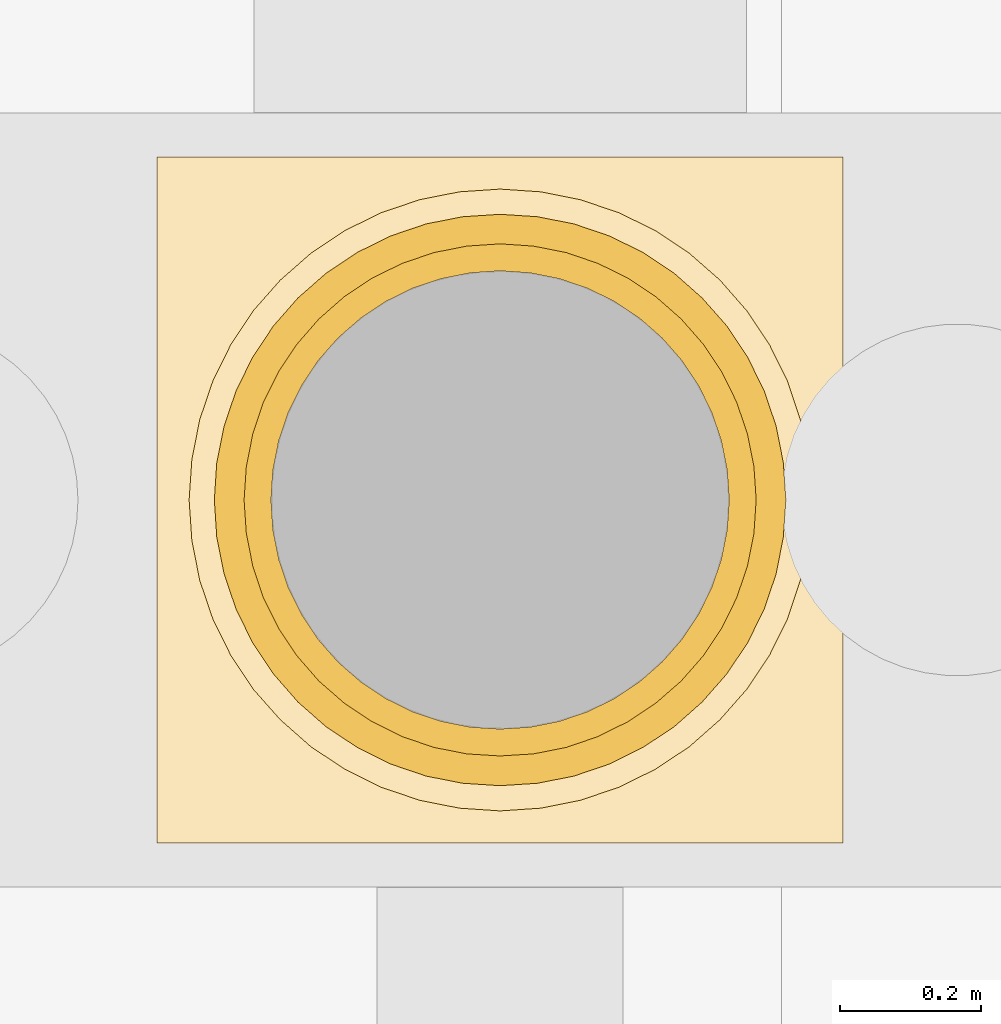
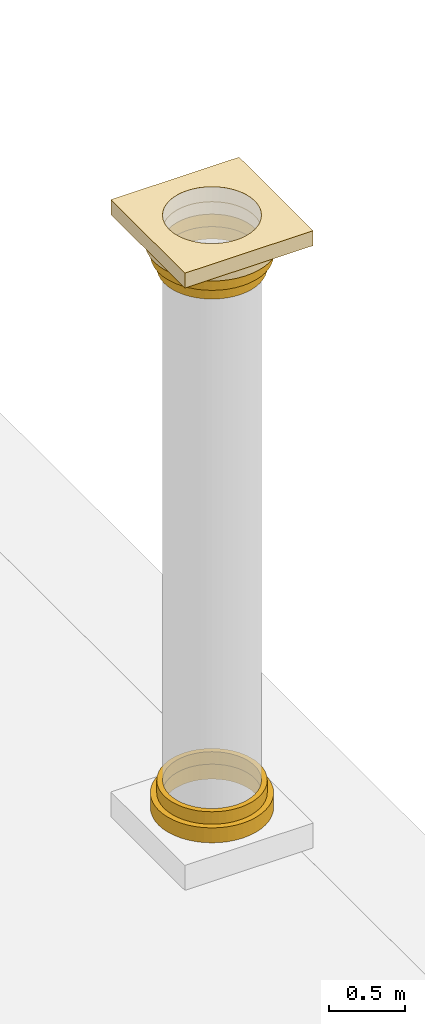
# One storey, part 69 of 80: 6 coverings.
"""IFC4 building model written with IfcOpenShell, lengths in metres."""

from ifc_helpers import new_model, si_unit, direction, frame, origin, place, context, subcontext, project, spatial, polyline, outline, extrude, material, type_object, element, save


model = new_model("IFC4")

# Units and contexts
model_context = context("Model", 3, precision=1e-05, world=origin(), true_north=direction((0.0, 1.0)))
body_context = subcontext(model_context, "Body", "Model", "MODEL_VIEW")
ifc_project = project(units=[si_unit("LENGTHUNIT", "METRE"), si_unit("AREAUNIT", "SQUARE_METRE"), si_unit("VOLUMEUNIT", "CUBIC_METRE"), si_unit("PLANEANGLEUNIT", "RADIAN"), si_unit("MASSUNIT", "GRAM", prefix="KILO")], contexts=[model_context])

# Site, building, storey
site_placement = place(None, origin())
site = spatial("IfcSite", under=ifc_project, at=site_placement, CompositionType="ELEMENT")
building_placement = place(site_placement, origin())
building = spatial("IfcBuilding", under=site, at=building_placement, Name="Ussher Court Research Institute", CompositionType="ELEMENT")
storey_placement = place(building_placement, origin())
storey = spatial("IfcBuildingStorey", under=building, at=storey_placement, Name="L00", CompositionType="ELEMENT", Elevation=0.0)

# Coverings
ifc_material_1 = material(Name="Limestone cornice", Category="masonry")
covering_type_1 = type_object("IfcCoveringType", Name="Column abacus 650 975x120", PredefinedType="CLADDING", material=ifc_material_1)
covering_1_placement = place(storey_placement, frame((0.0, 0.0, 4.840087890625)))
element("IfcCovering", 1, at=covering_1_placement, inside=storey, type_object=covering_type_1, Name="Column capital CC26", PredefinedType="CLADDING", context=body_context, shape_type="SweptSolid", body=[
    extrude(outline(polyline([(104.28759765625, 61.112548828125), (104.28759765625, 62.08740234375), (103.3125, 62.08740234375), (103.3125, 61.112548828125), (104.28759765625, 61.112548828125)]), holes=[polyline([(104.125732421875, 61.60009765625), (104.122802734375, 61.642578125), (104.114501953125, 61.684326171875), (104.100830078125, 61.724609375), (104.08203125, 61.7626953125), (104.058349609375, 61.79833984375), (104.0302734375, 61.830322265625), (103.998291015625, 61.8583984375), (103.962890625, 61.882080078125), (103.924560546875, 61.90087890625), (103.88427734375, 61.91455078125), (103.842529296875, 61.9228515625), (103.800048828125, 61.92578125), (103.757568359375, 61.9228515625), (103.7158203125, 61.91455078125), (103.67529296875, 61.90087890625), (103.63720703125, 61.882080078125), (103.601806640625, 61.8583984375), (103.569580078125, 61.830322265625), (103.54150390625, 61.79833984375), (103.517822265625, 61.7626953125), (103.4990234375, 61.724609375), (103.4853515625, 61.684326171875), (103.47705078125, 61.642578125), (103.474365234375, 61.60009765625), (103.47705078125, 61.5576171875), (103.4853515625, 61.515625), (103.4990234375, 61.475341796875), (103.517822265625, 61.437255859375), (103.54150390625, 61.401611328125), (103.569580078125, 61.36962890625), (103.601806640625, 61.341552734375), (103.63720703125, 61.31787109375), (103.67529296875, 61.299072265625), (103.7158203125, 61.285400390625), (103.757568359375, 61.277099609375), (103.800048828125, 61.2744140625), (103.842529296875, 61.277099609375), (103.88427734375, 61.285400390625), (103.924560546875, 61.299072265625), (103.962890625, 61.31787109375), (103.998291015625, 61.341552734375), (104.0302734375, 61.36962890625), (104.058349609375, 61.401611328125), (104.08203125, 61.437255859375), (104.100830078125, 61.475341796875), (104.114501953125, 61.515625), (104.122802734375, 61.5576171875), (104.125732421875, 61.60009765625)])]), origin(), (0.0, 0.0, 1.0), 0.119873046875),
])
ifc_material_2 = material(Name="Limestone cornice", Category="masonry")
covering_type_2 = type_object("IfcCoveringType", Name="Column base fillet 650 728x100", PredefinedType="CLADDING", material=ifc_material_2)
covering_2_placement = place(storey_placement, frame((0.0, 0.0, 0.320068359375)))
element("IfcCovering", 2, at=covering_2_placement, inside=storey, type_object=covering_type_2, Name="Column base CC22", PredefinedType="CLADDING", context=body_context, shape_type="SweptSolid", body=[
    extrude(outline(polyline([(104.1640625, 61.60009765625), (104.160888671875, 61.6474609375), (104.151611328125, 61.694091796875), (104.13623046875, 61.7392578125), (104.115234375, 61.781982421875), (104.0888671875, 61.821533203125), (104.057373046875, 61.857421875), (104.021484375, 61.888916015625), (103.98193359375, 61.915283203125), (103.939208984375, 61.936279296875), (103.894287109375, 61.95166015625), (103.847412109375, 61.9609375), (103.800048828125, 61.964111328125), (103.75244140625, 61.9609375), (103.705810546875, 61.95166015625), (103.66064453125, 61.936279296875), (103.617919921875, 61.915283203125), (103.578369140625, 61.888916015625), (103.54248046875, 61.857421875), (103.51123046875, 61.821533203125), (103.48486328125, 61.781982421875), (103.463623046875, 61.7392578125), (103.448486328125, 61.694091796875), (103.439208984375, 61.6474609375), (103.43603515625, 61.60009765625), (103.439208984375, 61.552490234375), (103.448486328125, 61.505859375), (103.463623046875, 61.460693359375), (103.48486328125, 61.41796875), (103.51123046875, 61.37841796875), (103.54248046875, 61.342529296875), (103.578369140625, 61.311279296875), (103.617919921875, 61.284912109375), (103.66064453125, 61.263671875), (103.705810546875, 61.248291015625), (103.75244140625, 61.239013671875), (103.800048828125, 61.236083984375), (103.847412109375, 61.239013671875), (103.894287109375, 61.248291015625), (103.939208984375, 61.263671875), (103.98193359375, 61.284912109375), (104.021484375, 61.311279296875), (104.057373046875, 61.342529296875), (104.0888671875, 61.37841796875), (104.115234375, 61.41796875), (104.13623046875, 61.460693359375), (104.151611328125, 61.505859375), (104.160888671875, 61.552490234375), (104.1640625, 61.60009765625)]), holes=[polyline([(104.125732421875, 61.60009765625), (104.122802734375, 61.642578125), (104.114501953125, 61.684326171875), (104.100830078125, 61.724609375), (104.08203125, 61.7626953125), (104.058349609375, 61.79833984375), (104.0302734375, 61.830322265625), (103.998291015625, 61.8583984375), (103.962890625, 61.882080078125), (103.924560546875, 61.90087890625), (103.88427734375, 61.91455078125), (103.842529296875, 61.9228515625), (103.800048828125, 61.92578125), (103.757568359375, 61.9228515625), (103.7158203125, 61.91455078125), (103.67529296875, 61.90087890625), (103.63720703125, 61.882080078125), (103.601806640625, 61.8583984375), (103.569580078125, 61.830322265625), (103.54150390625, 61.79833984375), (103.517822265625, 61.7626953125), (103.4990234375, 61.724609375), (103.4853515625, 61.684326171875), (103.47705078125, 61.642578125), (103.474365234375, 61.60009765625), (103.47705078125, 61.5576171875), (103.4853515625, 61.515625), (103.4990234375, 61.475341796875), (103.517822265625, 61.437255859375), (103.54150390625, 61.401611328125), (103.569580078125, 61.36962890625), (103.601806640625, 61.341552734375), (103.63720703125, 61.31787109375), (103.67529296875, 61.299072265625), (103.7158203125, 61.285400390625), (103.757568359375, 61.277099609375), (103.800048828125, 61.2744140625), (103.842529296875, 61.277099609375), (103.88427734375, 61.285400390625), (103.924560546875, 61.299072265625), (103.962890625, 61.31787109375), (103.998291015625, 61.341552734375), (104.0302734375, 61.36962890625), (104.058349609375, 61.401611328125), (104.08203125, 61.437255859375), (104.100830078125, 61.475341796875), (104.114501953125, 61.515625), (104.122802734375, 61.5576171875), (104.125732421875, 61.60009765625)])]), origin(), (0.0, 0.0, 1.0), 0.099853515625),
])
ifc_material_3 = material(Name="Limestone cornice", Category="masonry")
covering_type_3 = type_object("IfcCoveringType", Name="Column base torus 650 812x120", PredefinedType="CLADDING", material=ifc_material_3)
covering_3_placement = place(storey_placement, frame((0.0, 0.0, 0.199951171875)))
element("IfcCovering", 3, at=covering_3_placement, inside=storey, type_object=covering_type_3, Name="Column base CC21", PredefinedType="CLADDING", context=body_context, shape_type="SweptSolid", body=[
    extrude(outline(polyline([(104.206298828125, 61.60009765625), (104.20263671875, 61.653076171875), (104.1923828125, 61.705078125), (104.17529296875, 61.75537109375), (104.15185546875, 61.802978515625), (104.122314453125, 61.847412109375), (104.087158203125, 61.88720703125), (104.04736328125, 61.92236328125), (104.003173828125, 61.951904296875), (103.955322265625, 61.975341796875), (103.905029296875, 61.992431640625), (103.85302734375, 62.002685546875), (103.800048828125, 62.006103515625), (103.7470703125, 62.002685546875), (103.69482421875, 61.992431640625), (103.64453125, 61.975341796875), (103.596923828125, 61.951904296875), (103.552734375, 61.92236328125), (103.5126953125, 61.88720703125), (103.477783203125, 61.847412109375), (103.4482421875, 61.802978515625), (103.4248046875, 61.75537109375), (103.40771484375, 61.705078125), (103.397216796875, 61.653076171875), (103.393798828125, 61.60009765625), (103.397216796875, 61.547119140625), (103.40771484375, 61.494873046875), (103.4248046875, 61.444580078125), (103.4482421875, 61.39697265625), (103.477783203125, 61.352783203125), (103.5126953125, 61.312744140625), (103.552734375, 61.277587890625), (103.596923828125, 61.248291015625), (103.64453125, 61.224609375), (103.69482421875, 61.20751953125), (103.7470703125, 61.197265625), (103.800048828125, 61.19384765625), (103.85302734375, 61.197265625), (103.905029296875, 61.20751953125), (103.955322265625, 61.224609375), (104.003173828125, 61.248291015625), (104.04736328125, 61.277587890625), (104.087158203125, 61.312744140625), (104.122314453125, 61.352783203125), (104.15185546875, 61.39697265625), (104.17529296875, 61.444580078125), (104.1923828125, 61.494873046875), (104.20263671875, 61.547119140625), (104.206298828125, 61.60009765625)]), holes=[polyline([(104.125732421875, 61.60009765625), (104.122802734375, 61.642578125), (104.114501953125, 61.684326171875), (104.100830078125, 61.724609375), (104.08203125, 61.7626953125), (104.058349609375, 61.79833984375), (104.0302734375, 61.830322265625), (103.998291015625, 61.8583984375), (103.962890625, 61.882080078125), (103.924560546875, 61.90087890625), (103.88427734375, 61.91455078125), (103.842529296875, 61.9228515625), (103.800048828125, 61.92578125), (103.757568359375, 61.9228515625), (103.7158203125, 61.91455078125), (103.67529296875, 61.90087890625), (103.63720703125, 61.882080078125), (103.601806640625, 61.8583984375), (103.569580078125, 61.830322265625), (103.54150390625, 61.79833984375), (103.517822265625, 61.7626953125), (103.4990234375, 61.724609375), (103.4853515625, 61.684326171875), (103.47705078125, 61.642578125), (103.474365234375, 61.60009765625), (103.47705078125, 61.5576171875), (103.4853515625, 61.515625), (103.4990234375, 61.475341796875), (103.517822265625, 61.437255859375), (103.54150390625, 61.401611328125), (103.569580078125, 61.36962890625), (103.601806640625, 61.341552734375), (103.63720703125, 61.31787109375), (103.67529296875, 61.299072265625), (103.7158203125, 61.285400390625), (103.757568359375, 61.277099609375), (103.800048828125, 61.2744140625), (103.842529296875, 61.277099609375), (103.88427734375, 61.285400390625), (103.924560546875, 61.299072265625), (103.962890625, 61.31787109375), (103.998291015625, 61.341552734375), (104.0302734375, 61.36962890625), (104.058349609375, 61.401611328125), (104.08203125, 61.437255859375), (104.100830078125, 61.475341796875), (104.114501953125, 61.515625), (104.122802734375, 61.5576171875), (104.125732421875, 61.60009765625)])]), origin(), (0.0, 0.0, 1.0), 0.1201171875),
])
ifc_material_4 = material(Name="Limestone cornice", Category="masonry")
covering_type_4 = type_object("IfcCoveringType", Name="Column capital echinus 650 812x100", PredefinedType="CLADDING", material=ifc_material_4)
covering_4_placement = place(storey_placement, frame((0.0, 0.0, 4.639892578125)))
element("IfcCovering", 4, at=covering_4_placement, inside=storey, type_object=covering_type_4, Name="Column capital CC24", PredefinedType="CLADDING", context=body_context, shape_type="SweptSolid", body=[
    extrude(outline(polyline([(104.206298828125, 61.60009765625), (104.20263671875, 61.653076171875), (104.1923828125, 61.705078125), (104.17529296875, 61.75537109375), (104.15185546875, 61.802978515625), (104.122314453125, 61.847412109375), (104.087158203125, 61.88720703125), (104.04736328125, 61.92236328125), (104.003173828125, 61.951904296875), (103.955322265625, 61.975341796875), (103.905029296875, 61.992431640625), (103.85302734375, 62.002685546875), (103.800048828125, 62.006103515625), (103.7470703125, 62.002685546875), (103.69482421875, 61.992431640625), (103.64453125, 61.975341796875), (103.596923828125, 61.951904296875), (103.552734375, 61.92236328125), (103.5126953125, 61.88720703125), (103.477783203125, 61.847412109375), (103.4482421875, 61.802978515625), (103.4248046875, 61.75537109375), (103.40771484375, 61.705078125), (103.397216796875, 61.653076171875), (103.393798828125, 61.60009765625), (103.397216796875, 61.547119140625), (103.40771484375, 61.494873046875), (103.4248046875, 61.444580078125), (103.4482421875, 61.39697265625), (103.477783203125, 61.352783203125), (103.5126953125, 61.312744140625), (103.552734375, 61.277587890625), (103.596923828125, 61.248291015625), (103.64453125, 61.224609375), (103.69482421875, 61.20751953125), (103.7470703125, 61.197265625), (103.800048828125, 61.19384765625), (103.85302734375, 61.197265625), (103.905029296875, 61.20751953125), (103.955322265625, 61.224609375), (104.003173828125, 61.248291015625), (104.04736328125, 61.277587890625), (104.087158203125, 61.312744140625), (104.122314453125, 61.352783203125), (104.15185546875, 61.39697265625), (104.17529296875, 61.444580078125), (104.1923828125, 61.494873046875), (104.20263671875, 61.547119140625), (104.206298828125, 61.60009765625)]), holes=[polyline([(104.125732421875, 61.60009765625), (104.122802734375, 61.642578125), (104.114501953125, 61.684326171875), (104.100830078125, 61.724609375), (104.08203125, 61.7626953125), (104.058349609375, 61.79833984375), (104.0302734375, 61.830322265625), (103.998291015625, 61.8583984375), (103.962890625, 61.882080078125), (103.924560546875, 61.90087890625), (103.88427734375, 61.91455078125), (103.842529296875, 61.9228515625), (103.800048828125, 61.92578125), (103.757568359375, 61.9228515625), (103.7158203125, 61.91455078125), (103.67529296875, 61.90087890625), (103.63720703125, 61.882080078125), (103.601806640625, 61.8583984375), (103.569580078125, 61.830322265625), (103.54150390625, 61.79833984375), (103.517822265625, 61.7626953125), (103.4990234375, 61.724609375), (103.4853515625, 61.684326171875), (103.47705078125, 61.642578125), (103.474365234375, 61.60009765625), (103.47705078125, 61.5576171875), (103.4853515625, 61.515625), (103.4990234375, 61.475341796875), (103.517822265625, 61.437255859375), (103.54150390625, 61.401611328125), (103.569580078125, 61.36962890625), (103.601806640625, 61.341552734375), (103.63720703125, 61.31787109375), (103.67529296875, 61.299072265625), (103.7158203125, 61.285400390625), (103.757568359375, 61.277099609375), (103.800048828125, 61.2744140625), (103.842529296875, 61.277099609375), (103.88427734375, 61.285400390625), (103.924560546875, 61.299072265625), (103.962890625, 61.31787109375), (103.998291015625, 61.341552734375), (104.0302734375, 61.36962890625), (104.058349609375, 61.401611328125), (104.08203125, 61.437255859375), (104.100830078125, 61.475341796875), (104.114501953125, 61.515625), (104.122802734375, 61.5576171875), (104.125732421875, 61.60009765625)])]), origin(), (0.0, 0.0, 1.0), 0.10009765625),
])
ifc_material_5 = material(Name="Limestone cornice", Category="masonry")
covering_type_5 = type_object("IfcCoveringType", Name="Column capital neck 650 728x100", PredefinedType="CLADDING", material=ifc_material_5)
covering_5_placement = place(storey_placement, frame((0.0, 0.0, 4.5400390625)))
element("IfcCovering", 5, at=covering_5_placement, inside=storey, type_object=covering_type_5, Name="Column capital CC23", PredefinedType="CLADDING", context=body_context, shape_type="SweptSolid", body=[
    extrude(outline(polyline([(104.1640625, 61.60009765625), (104.160888671875, 61.6474609375), (104.151611328125, 61.694091796875), (104.13623046875, 61.7392578125), (104.115234375, 61.781982421875), (104.0888671875, 61.821533203125), (104.057373046875, 61.857421875), (104.021484375, 61.888916015625), (103.98193359375, 61.915283203125), (103.939208984375, 61.936279296875), (103.894287109375, 61.95166015625), (103.847412109375, 61.9609375), (103.800048828125, 61.964111328125), (103.75244140625, 61.9609375), (103.705810546875, 61.95166015625), (103.66064453125, 61.936279296875), (103.617919921875, 61.915283203125), (103.578369140625, 61.888916015625), (103.54248046875, 61.857421875), (103.51123046875, 61.821533203125), (103.48486328125, 61.781982421875), (103.463623046875, 61.7392578125), (103.448486328125, 61.694091796875), (103.439208984375, 61.6474609375), (103.43603515625, 61.60009765625), (103.439208984375, 61.552490234375), (103.448486328125, 61.505859375), (103.463623046875, 61.460693359375), (103.48486328125, 61.41796875), (103.51123046875, 61.37841796875), (103.54248046875, 61.342529296875), (103.578369140625, 61.311279296875), (103.617919921875, 61.284912109375), (103.66064453125, 61.263671875), (103.705810546875, 61.248291015625), (103.75244140625, 61.239013671875), (103.800048828125, 61.236083984375), (103.847412109375, 61.239013671875), (103.894287109375, 61.248291015625), (103.939208984375, 61.263671875), (103.98193359375, 61.284912109375), (104.021484375, 61.311279296875), (104.057373046875, 61.342529296875), (104.0888671875, 61.37841796875), (104.115234375, 61.41796875), (104.13623046875, 61.460693359375), (104.151611328125, 61.505859375), (104.160888671875, 61.552490234375), (104.1640625, 61.60009765625)]), holes=[polyline([(104.125732421875, 61.60009765625), (104.122802734375, 61.642578125), (104.114501953125, 61.684326171875), (104.100830078125, 61.724609375), (104.08203125, 61.7626953125), (104.058349609375, 61.79833984375), (104.0302734375, 61.830322265625), (103.998291015625, 61.8583984375), (103.962890625, 61.882080078125), (103.924560546875, 61.90087890625), (103.88427734375, 61.91455078125), (103.842529296875, 61.9228515625), (103.800048828125, 61.92578125), (103.757568359375, 61.9228515625), (103.7158203125, 61.91455078125), (103.67529296875, 61.90087890625), (103.63720703125, 61.882080078125), (103.601806640625, 61.8583984375), (103.569580078125, 61.830322265625), (103.54150390625, 61.79833984375), (103.517822265625, 61.7626953125), (103.4990234375, 61.724609375), (103.4853515625, 61.684326171875), (103.47705078125, 61.642578125), (103.474365234375, 61.60009765625), (103.47705078125, 61.5576171875), (103.4853515625, 61.515625), (103.4990234375, 61.475341796875), (103.517822265625, 61.437255859375), (103.54150390625, 61.401611328125), (103.569580078125, 61.36962890625), (103.601806640625, 61.341552734375), (103.63720703125, 61.31787109375), (103.67529296875, 61.299072265625), (103.7158203125, 61.285400390625), (103.757568359375, 61.277099609375), (103.800048828125, 61.2744140625), (103.842529296875, 61.277099609375), (103.88427734375, 61.285400390625), (103.924560546875, 61.299072265625), (103.962890625, 61.31787109375), (103.998291015625, 61.341552734375), (104.0302734375, 61.36962890625), (104.058349609375, 61.401611328125), (104.08203125, 61.437255859375), (104.100830078125, 61.475341796875), (104.114501953125, 61.515625), (104.122802734375, 61.5576171875), (104.125732421875, 61.60009765625)])]), origin(), (0.0, 0.0, 1.0), 0.099853515625),
])
ifc_material_6 = material(Name="Limestone cornice", Category="masonry")
covering_type_6 = type_object("IfcCoveringType", Name="Column capital ovolo 650 884x100", PredefinedType="CLADDING", material=ifc_material_6)
covering_6_placement = place(storey_placement, frame((0.0, 0.0, 4.739990234375)))
element("IfcCovering", 6, at=covering_6_placement, inside=storey, type_object=covering_type_6, Name="Column capital CC25", PredefinedType="CLADDING", context=body_context, shape_type="SweptSolid", body=[
    extrude(outline(polyline([(104.241943359375, 61.60009765625), (104.23828125, 61.65771484375), (104.226806640625, 61.71435546875), (104.20849609375, 61.76904296875), (104.182861328125, 61.821044921875), (104.150634765625, 61.869140625), (104.112548828125, 61.91259765625), (104.069091796875, 61.95068359375), (104.02099609375, 61.98291015625), (103.968994140625, 62.00830078125), (103.914306640625, 62.02685546875), (103.857666015625, 62.0380859375), (103.800048828125, 62.0419921875), (103.7421875, 62.0380859375), (103.685546875, 62.02685546875), (103.630859375, 62.00830078125), (103.5791015625, 61.98291015625), (103.531005859375, 61.95068359375), (103.487548828125, 61.91259765625), (103.44921875, 61.869140625), (103.417236328125, 61.821044921875), (103.3916015625, 61.76904296875), (103.373046875, 61.71435546875), (103.36181640625, 61.65771484375), (103.35791015625, 61.60009765625), (103.36181640625, 61.542236328125), (103.373046875, 61.485595703125), (103.3916015625, 61.430908203125), (103.417236328125, 61.37890625), (103.44921875, 61.330810546875), (103.487548828125, 61.28759765625), (103.531005859375, 61.249267578125), (103.5791015625, 61.21728515625), (103.630859375, 61.191650390625), (103.685546875, 61.173095703125), (103.7421875, 61.161865234375), (103.800048828125, 61.157958984375), (103.857666015625, 61.161865234375), (103.914306640625, 61.173095703125), (103.968994140625, 61.191650390625), (104.02099609375, 61.21728515625), (104.069091796875, 61.249267578125), (104.112548828125, 61.28759765625), (104.150634765625, 61.330810546875), (104.182861328125, 61.37890625), (104.20849609375, 61.430908203125), (104.226806640625, 61.485595703125), (104.23828125, 61.542236328125), (104.241943359375, 61.60009765625)]), holes=[polyline([(104.125732421875, 61.60009765625), (104.122802734375, 61.642578125), (104.114501953125, 61.684326171875), (104.100830078125, 61.724609375), (104.08203125, 61.7626953125), (104.058349609375, 61.79833984375), (104.0302734375, 61.830322265625), (103.998291015625, 61.8583984375), (103.962890625, 61.882080078125), (103.924560546875, 61.90087890625), (103.88427734375, 61.91455078125), (103.842529296875, 61.9228515625), (103.800048828125, 61.92578125), (103.757568359375, 61.9228515625), (103.7158203125, 61.91455078125), (103.67529296875, 61.90087890625), (103.63720703125, 61.882080078125), (103.601806640625, 61.8583984375), (103.569580078125, 61.830322265625), (103.54150390625, 61.79833984375), (103.517822265625, 61.7626953125), (103.4990234375, 61.724609375), (103.4853515625, 61.684326171875), (103.47705078125, 61.642578125), (103.474365234375, 61.60009765625), (103.47705078125, 61.5576171875), (103.4853515625, 61.515625), (103.4990234375, 61.475341796875), (103.517822265625, 61.437255859375), (103.54150390625, 61.401611328125), (103.569580078125, 61.36962890625), (103.601806640625, 61.341552734375), (103.63720703125, 61.31787109375), (103.67529296875, 61.299072265625), (103.7158203125, 61.285400390625), (103.757568359375, 61.277099609375), (103.800048828125, 61.2744140625), (103.842529296875, 61.277099609375), (103.88427734375, 61.285400390625), (103.924560546875, 61.299072265625), (103.962890625, 61.31787109375), (103.998291015625, 61.341552734375), (104.0302734375, 61.36962890625), (104.058349609375, 61.401611328125), (104.08203125, 61.437255859375), (104.100830078125, 61.475341796875), (104.114501953125, 61.515625), (104.122802734375, 61.5576171875), (104.125732421875, 61.60009765625)])]), origin(), (0.0, 0.0, 1.0), 0.10009765625),
])

save(model, "model.ifc")
